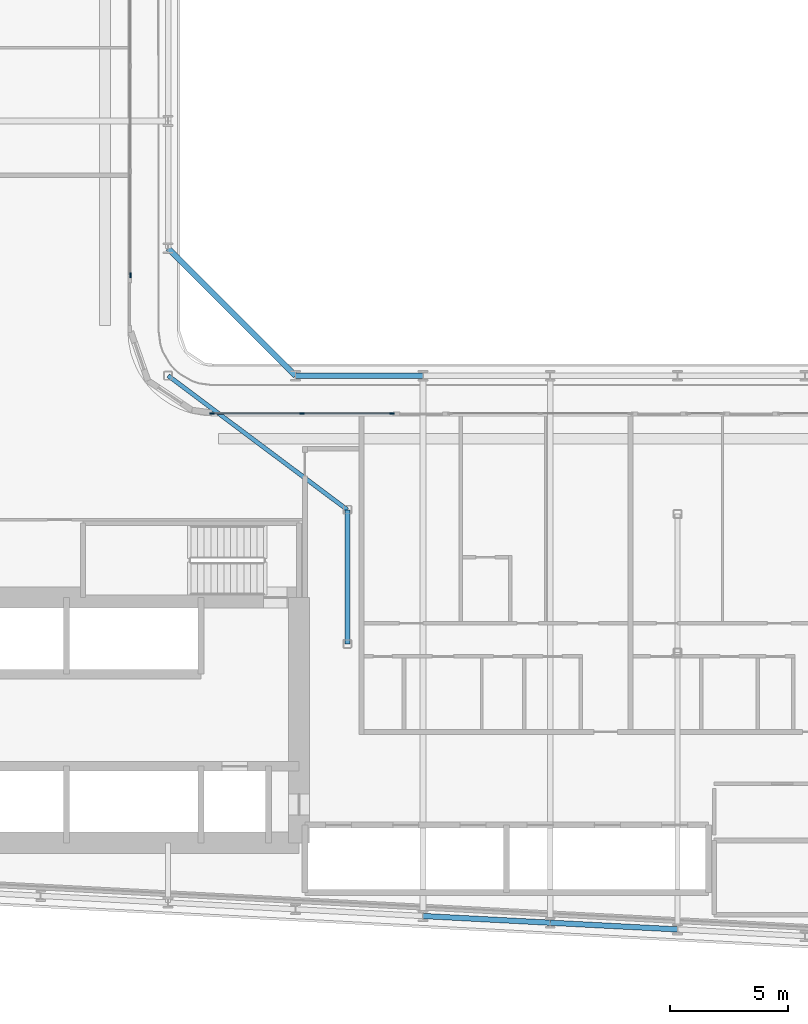
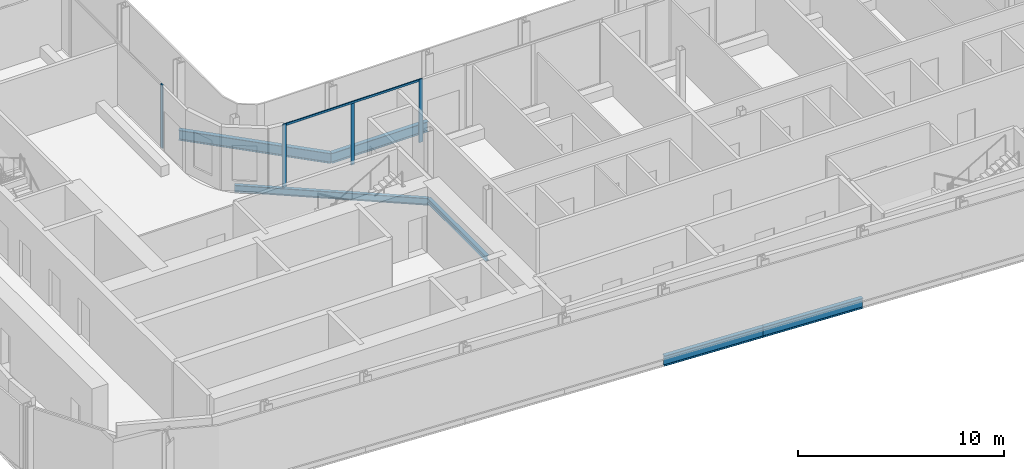
# One storey, part 4 of 25: 6 beams, 5 members, 2 elements without a shape of their own.
"""IFC4 building model written with IfcOpenShell, lengths in metres."""

from ifc_helpers import new_model, si_unit, direction, frame, origin, origin_2d, place, context, subcontext, project, spatial, rectangle, i_section, extrude, material, layer, layer_set, material_profile, profile_set, type_object, element, aggregate, save


model = new_model("IFC4")

# Units and contexts
model_context = context("Model", 3, precision=1e-05, world=origin(), true_north=direction((0.0, 1.0)))
body_context = subcontext(model_context, "Body", "Model", "MODEL_VIEW")
ifc_project = project(units=[si_unit("LENGTHUNIT", "METRE"), si_unit("AREAUNIT", "SQUARE_METRE"), si_unit("VOLUMEUNIT", "CUBIC_METRE"), si_unit("PLANEANGLEUNIT", "RADIAN"), si_unit("MASSUNIT", "GRAM", prefix="KILO")], contexts=[model_context])

# Site, building, storey
site_placement = place(None, origin())
site = spatial("IfcSite", under=ifc_project, at=site_placement, CompositionType="ELEMENT")
building_placement = place(site_placement, origin())
building = spatial("IfcBuilding", under=site, at=building_placement, Name="Kheshtan School and Residences Tower", CompositionType="ELEMENT")
storey_placement = place(building_placement, frame((0.0, 0.0, 113.60009765625)))
storey = spatial("IfcBuildingStorey", under=building, at=storey_placement, Name="L26", CompositionType="ELEMENT", Elevation=113.60009765625)

# Beams
ifc_material_1 = material(Name="Steel ASTM A992 Grade 50", Category="steel")
ifc_material_profile_1 = material_profile(ifc_material_1, i_section(OverallWidth=0.202880859375, OverallDepth=0.302978515625, WebThickness=0.007568359375, FlangeThickness=0.01318359375, FilletRadius=0.009033203125, at=origin_2d()), Name="W310x60")
ifc_profile_set_1 = profile_set([ifc_material_profile_1], Name="Steel ASTM A992 Grade 50")
beam_type_1 = type_object("IfcBeamType", Name="Beam FB1 W310x60 ASTM A992 Grade 50", PredefinedType="BEAM", material=ifc_profile_set_1)
beam_1_placement = place(storey_placement, frame((55.199951171875, 34.23193359375, -0.301513671875), z_axis=(0.0, 1.0, 0.0), x_axis=(-1.0, 0.0, 0.0)))
element("IfcBeam", 1, at=beam_1_placement, inside=storey, type_object=beam_type_1, Name="Floor beam IC", PredefinedType="BEAM", context=body_context, shape_type="SweptSolid", body=[
    extrude(i_section(OverallWidth=0.202880859375, OverallDepth=0.302978515625, WebThickness=0.007568359375, FlangeThickness=0.01318359375, FilletRadius=0.009033203125, at=origin_2d()), origin(), (0.0, 0.0, 1.0), 5.68408203125),
])
ifc_material_profile_2 = material_profile(ifc_material_1, i_section(OverallWidth=0.180908203125, OverallDepth=0.4169921875, WebThickness=0.010986328125, FlangeThickness=0.018310546875, FilletRadius=0.012451171875, at=origin_2d()), Name="W410x85")
ifc_profile_set_2 = profile_set([ifc_material_profile_2], Name="Steel ASTM A992 Grade 50")
beam_type_2 = type_object("IfcBeamType", Name="Beam FB3 W410x85 ASTM A992 Grade 50", PredefinedType="BEAM", material=ifc_profile_set_2)
beam_2_placement = place(storey_placement, frame((47.60009765625, 45.60009765625, -0.358642578125), z_axis=(0.800798828004, -0.598933416222, 0.0), x_axis=(0.598933416222, 0.800798828004, 0.0)))
element("IfcBeam", 2, at=beam_2_placement, inside=storey, type_object=beam_type_2, Name="Floor beam IC", PredefinedType="BEAM", context=body_context, shape_type="SweptSolid", body=[
    extrude(i_section(OverallWidth=0.180908203125, OverallDepth=0.4169921875, WebThickness=0.010986328125, FlangeThickness=0.018310546875, FilletRadius=0.012451171875, at=origin_2d()), origin(), (0.0, 0.0, 1.0), 9.490234375),
])
ifc_material_profile_3 = material_profile(ifc_material_1, i_section(OverallWidth=0.22802734375, OverallDepth=0.60302734375, WebThickness=0.010498046875, FlangeThickness=0.014892578125, FilletRadius=0.013427734375, at=origin_2d()), Name="W610x101")
ifc_profile_set_3 = profile_set([ifc_material_profile_3], Name="Steel ASTM A992 Grade 50")
beam_type_3 = type_object("IfcBeamType", Name="Beam SP2 W610x101 ASTM A992 Grade 50", PredefinedType="BEAM", material=ifc_profile_set_3)
beam_3_placement = place(storey_placement, frame((47.60009765625, 51.0, -0.45166015625), z_axis=(0.707106781187, -0.707106781187, 0.0), x_axis=(0.707106781187, 0.707106781187, 0.0)))
element("IfcBeam", 3, at=beam_3_placement, inside=storey, type_object=beam_type_3, Name="Spandrel beam C079-C061", PredefinedType="BEAM", context=body_context, shape_type="SweptSolid", body=[
    extrude(i_section(OverallWidth=0.22802734375, OverallDepth=0.60302734375, WebThickness=0.010498046875, FlangeThickness=0.014892578125, FilletRadius=0.013427734375, at=origin_2d()), origin(), (0.0, 0.0, 1.0), 7.63671875),
])
beam_4_placement = place(storey_placement, frame((53.0, 45.60009765625, -0.45166015625), z_axis=(1.0, 0.0, 0.0), x_axis=(0.0, 1.0, 0.0)))
element("IfcBeam", 4, at=beam_4_placement, inside=storey, type_object=beam_type_3, Name="Spandrel beam C061-C062", PredefinedType="BEAM", context=body_context, shape_type="SweptSolid", body=[
    extrude(i_section(OverallWidth=0.22802734375, OverallDepth=0.60302734375, WebThickness=0.010498046875, FlangeThickness=0.014892578125, FilletRadius=0.013427734375, at=origin_2d()), origin(), (0.0, 0.0, 1.0), 5.39990234375),
])
beam_5_placement = place(storey_placement, frame((69.199951171875, 22.126953125, -0.45166015625), z_axis=(-0.998620447272, 0.05250906864, 0.0), x_axis=(-0.05250906864, -0.998620447272, 0.0)))
element("IfcBeam", 5, at=beam_5_placement, inside=storey, type_object=beam_type_3, Name="Spandrel beam C014-C016", PredefinedType="BEAM", context=body_context, shape_type="SweptSolid", body=[
    extrude(i_section(OverallWidth=0.22802734375, OverallDepth=0.60302734375, WebThickness=0.010498046875, FlangeThickness=0.014892578125, FilletRadius=0.013427734375, at=origin_2d()), origin(), (0.0, 0.0, 1.0), 5.407470703125),
])
beam_6_placement = place(storey_placement, frame((63.800048828125, 22.410888671875, -0.45166015625), z_axis=(-0.998618203458, 0.052551724256, 0.0), x_axis=(-0.052551724256, -0.998618203458, 0.0)))
element("IfcBeam", 6, at=beam_6_placement, inside=storey, type_object=beam_type_3, Name="Spandrel beam C016-C018", PredefinedType="BEAM", context=body_context, shape_type="SweptSolid", body=[
    extrude(i_section(OverallWidth=0.22802734375, OverallDepth=0.60302734375, WebThickness=0.010498046875, FlangeThickness=0.014892578125, FilletRadius=0.013427734375, at=origin_2d()), origin(), (0.0, 0.0, 1.0), 5.40771484375),
])

# Curtain wall, member
ifc_material_2 = material(Name="Clear low-e glass in thermally broken aluminium frame", Category="aluminium")
ifc_layer = layer(ifc_material_2, 0.199951171875)
ifc_layer_set = layer_set([ifc_layer], Name="Curtain wall CW-L")
curtain_wall_type = type_object("IfcCurtainWallType", Name="Curtain wall CW-L", PredefinedType="NOTDEFINED", material=ifc_layer_set)
curtain_wall_1_placement = place(storey_placement, origin())
curtain_wall_1 = element("IfcCurtainWall", 7, at=curtain_wall_1_placement, inside=storey, type_object=curtain_wall_type, Name="Curtain wall CWL4b", PredefinedType="NOTDEFINED")
ifc_material_3 = material(Name="Thermally broken aluminium, dark bronze anodised", Category="aluminium")
ifc_material_profile_4 = material_profile(ifc_material_3, rectangle(XDim=0.06005859375, YDim=0.199951171875, at=origin_2d()), Name="CW-L mullion 60x200")
ifc_profile_set_4 = profile_set([ifc_material_profile_4], Name="Thermally broken aluminium, dark bronze anodised")
member_type_1 = type_object("IfcMemberType", Name="CW-L mullion 60x200", PredefinedType="MULLION", material=ifc_profile_set_4)
member_1_placement = place(storey_placement, frame((46.0, 49.860107421875, 0.0), z_axis=(0.0, 0.0, 1.0), x_axis=(1.0, 0.0, 0.0)))
member_1 = element("IfcMember", 8, at=member_1_placement, type_object=member_type_1, Name="CWL4b mullion 3", PredefinedType="MULLION", context=body_context, shape_type="SweptSolid", body=[
    extrude(rectangle(XDim=0.06005859375, YDim=0.199951171875, at=origin_2d()), origin(), (0.0, 0.0, 1.0), 3.75),
])
aggregate(curtain_wall_1, [member_1])

# Curtain wall, members
curtain_wall_2_placement = place(storey_placement, origin())
curtain_wall_2 = element("IfcCurtainWall", 9, at=curtain_wall_2_placement, inside=storey, type_object=curtain_wall_type, Name="Curtain wall CWL8", PredefinedType="NOTDEFINED")
member_2_placement = place(storey_placement, frame((49.4599609375, 44.0, 0.0), z_axis=(0.0, 0.0, 1.0), x_axis=(0.0, 1.0, 0.0)))
member_2 = element("IfcMember", 10, at=member_2_placement, type_object=member_type_1, Name="CWL8 mullion 1", PredefinedType="MULLION", context=body_context, shape_type="SweptSolid", body=[
    extrude(rectangle(XDim=0.06005859375, YDim=0.199951171875, at=origin_2d()), origin(), (0.0, 0.0, 1.0), 3.75),
])
member_3_placement = place(storey_placement, frame((53.277099609375, 44.0, 0.0), z_axis=(0.0, 0.0, 1.0), x_axis=(0.0, 1.0, 0.0)))
member_3 = element("IfcMember", 11, at=member_3_placement, type_object=member_type_1, Name="CWL8 mullion 2", PredefinedType="MULLION", context=body_context, shape_type="SweptSolid", body=[
    extrude(rectangle(XDim=0.06005859375, YDim=0.199951171875, at=origin_2d()), origin(), (0.0, 0.0, 1.0), 3.6298828125),
])
member_4_placement = place(storey_placement, frame((57.093994140625, 44.0, 0.0), z_axis=(0.0, 0.0, 1.0), x_axis=(0.0, 1.0, 0.0)))
member_4 = element("IfcMember", 12, at=member_4_placement, type_object=member_type_1, Name="CWL8 mullion 3", PredefinedType="MULLION", context=body_context, shape_type="SweptSolid", body=[
    extrude(rectangle(XDim=0.06005859375, YDim=0.199951171875, at=origin_2d()), origin(), (0.0, 0.0, 1.0), 3.75),
])
ifc_material_profile_5 = material_profile(ifc_material_3, rectangle(XDim=0.06005859375, YDim=0.1201171875, at=origin_2d()), Name="CW-L transom 60x120")
ifc_profile_set_5 = profile_set([ifc_material_profile_5], Name="Thermally broken aluminium, dark bronze anodised")
member_type_2 = type_object("IfcMemberType", Name="CW-L transom 60x120", PredefinedType="USERDEFINED", material=ifc_profile_set_5)
member_5_placement = place(storey_placement, frame((49.489990234375, 44.0, 3.68994140625), z_axis=(1.0, 0.0, 0.0), x_axis=(0.0, 1.0, 0.0)))
member_5 = element("IfcMember", 13, at=member_5_placement, type_object=member_type_2, Name="CWL8 transom 1", ObjectType="TRANSOM", PredefinedType="USERDEFINED", context=body_context, shape_type="SweptSolid", body=[
    extrude(rectangle(XDim=0.06005859375, YDim=0.1201171875, at=origin_2d()), origin(), (0.0, 0.0, 1.0), 7.573974609375),
])
aggregate(curtain_wall_2, [member_2, member_3, member_4, member_5])

save(model, "model.ifc")
